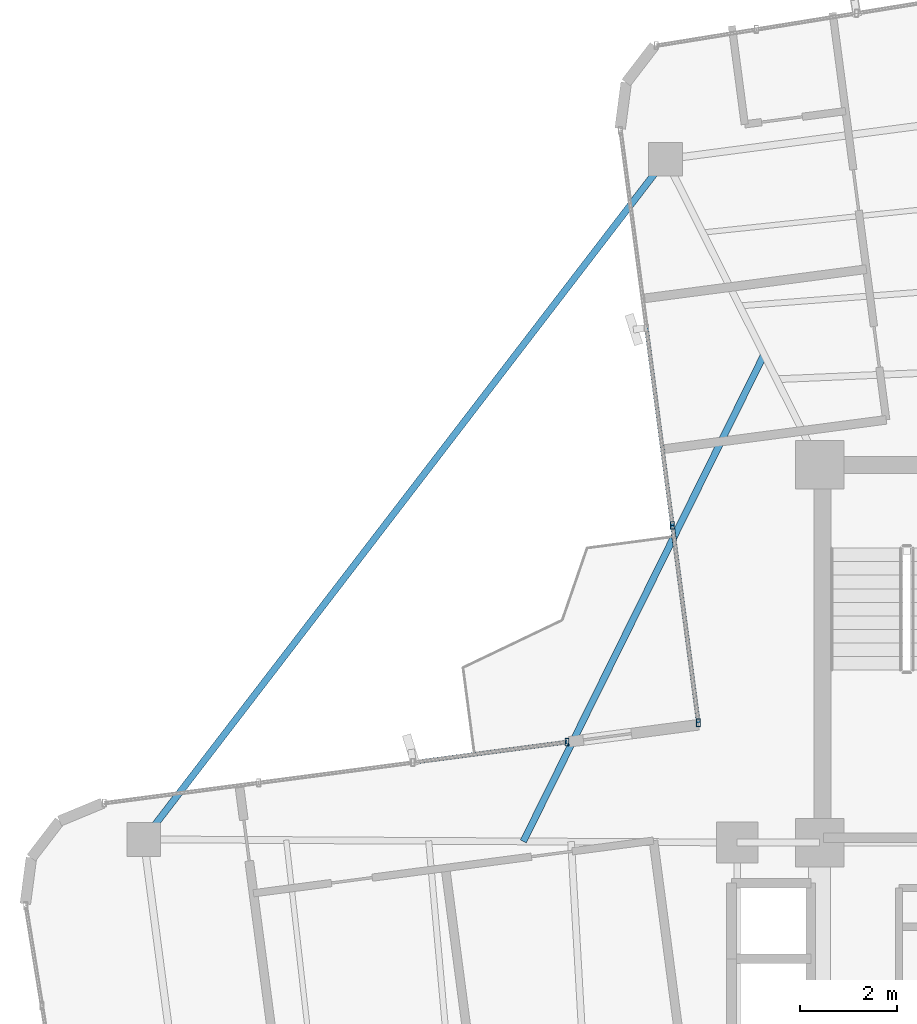
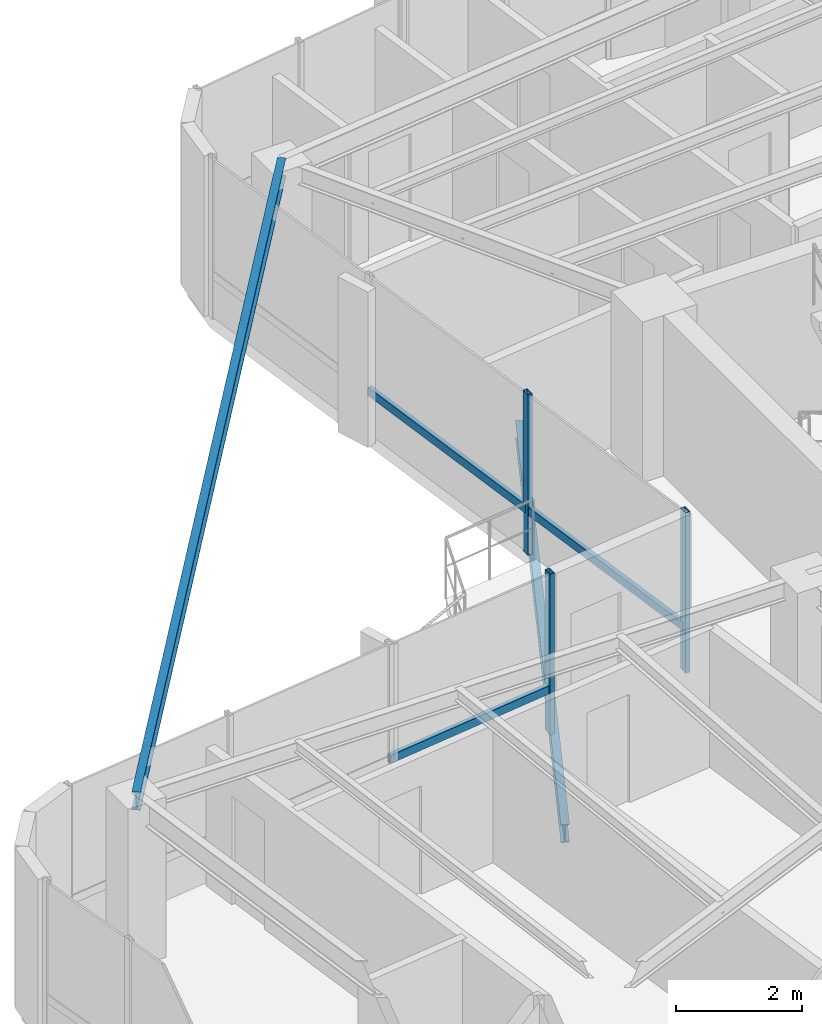
# One storey, part 9 of 22: 6 members, 2 beams, 2 elements without a shape of their own.
"""IFC4 building model written with IfcOpenShell, lengths in metres."""

from ifc_helpers import new_model, si_unit, direction, frame, origin, origin_2d, place, context, subcontext, project, spatial, hollow_rectangle, i_section, extrude, source, transform, mapped, material, material_profile, profile_set, type_object, element, aggregate, save


model = new_model("IFC4")

# Units and contexts
model_context = context("Model", 3, precision=1e-05, world=origin(), true_north=direction((0.0, 1.0)))
body_context = subcontext(model_context, "Body", "Model", "MODEL_VIEW")
ifc_project = project(units=[si_unit("LENGTHUNIT", "METRE"), si_unit("AREAUNIT", "SQUARE_METRE"), si_unit("VOLUMEUNIT", "CUBIC_METRE"), si_unit("PLANEANGLEUNIT", "RADIAN"), si_unit("MASSUNIT", "GRAM", prefix="KILO")], contexts=[model_context])

# Site, building, storey
site_placement = place(None, origin())
site = spatial("IfcSite", under=ifc_project, at=site_placement, CompositionType="ELEMENT")
building_placement = place(site_placement, origin())
building = spatial("IfcBuilding", under=site, at=building_placement, Name="Sahyath Konkavel Grand Hotel", CompositionType="ELEMENT")
storey_placement = place(building_placement, frame((0.0, 0.0, 247.85009765625)))
storey = spatial("IfcBuildingStorey", under=building, at=storey_placement, Name="L69", CompositionType="ELEMENT", Elevation=247.85009765625)

# Beam
ifc_material_1 = material(Name="Steel E350", Category="steel")
ifc_material_profile_1 = material_profile(ifc_material_1, i_section(OverallWidth=0.139892578125, OverallDepth=0.35009765625, WebThickness=0.008056640625, FlangeThickness=0.01416015625, FilletRadius=0.013916015625, at=origin_2d()), Name="ISMB 350")
ifc_profile_set_1 = profile_set([ifc_material_profile_1], Name="Steel E350")
beam_type_1 = type_object("IfcBeamType", Name="BM-ISMB350", PredefinedType="BEAM", material=ifc_profile_set_1)
shared_shape_1 = source(origin(), body_context, "Body", "SweptSolid", [
    extrude(i_section(OverallWidth=0.139892578125, OverallDepth=0.35009765625, WebThickness=0.008056640625, FlangeThickness=0.01416015625, FilletRadius=0.013916015625, at=origin_2d()), origin(), (0.0, 0.0, 1.0), 17.70166015625),
])
beam_1_placement = place(storey_placement, frame((-6.977783203125, 16.510498046875, 2.934814453125), z_axis=(-0.608761860187, -0.793353009437, 0.0), x_axis=(0.793353009437, -0.608761860187, 0.0)))
element("IfcBeam", 1, at=beam_1_placement, inside=storey, type_object=beam_type_1, Name="L69 Re-Entrant Tie Beam NW", PredefinedType="BEAM", context=body_context, shape_type="MappedRepresentation", body=[
    mapped(shared_shape_1, transform((0.0, 0.0, 0.0), scale=1.0)),
])

# Curtain wall, members
ifc_material_2 = material(Name="Anodised Bronze Aluminium & Low-E Glazing", Category="aluminium")
curtain_wall_type = type_object("IfcCurtainWallType", Name="CW-ZONE4", PredefinedType="NOTDEFINED", material=ifc_material_2)
curtain_wall_1_placement = place(storey_placement, origin())
curtain_wall_1 = element("IfcCurtainWall", 2, at=curtain_wall_1_placement, inside=storey, type_object=curtain_wall_type, Name="L69 Unitised Curtain Wall F15", PredefinedType="NOTDEFINED")
ifc_material_3 = material(Name="Anodised Bronze Aluminium", Category="aluminium")
ifc_material_profile_2 = material_profile(ifc_material_3, hollow_rectangle(XDim=0.080078125, YDim=0.159912109375, WallThickness=0.006103515625, at=origin_2d()), Name="RHS 160x80x6")
ifc_profile_set_2 = profile_set([ifc_material_profile_2], Name="Anodised Bronze Aluminium")
member_type_1 = type_object("IfcMemberType", Name="CW-MUL-160", PredefinedType="MULLION", material=ifc_profile_set_2)
shared_shape_2 = source(origin(), body_context, "Body", "SweptSolid", [
    extrude(hollow_rectangle(XDim=0.080078125, YDim=0.159912109375, WallThickness=0.006103515625, at=origin_2d()), origin(), (0.0, 0.0, 1.0), 3.10986328125),
])
member_1_placement = place(storey_placement, frame((-6.839599609375, 8.94921875, 0.0), z_axis=(0.0, 0.0, 1.0), x_axis=(1.0, 0.0, 0.0)))
member_1 = element("IfcMember", 3, at=member_1_placement, type_object=member_type_1, Name="L69 Curtain Wall Mullion F15-2", PredefinedType="MULLION", context=body_context, shape_type="MappedRepresentation", body=[
    mapped(shared_shape_2, transform((0.0, 0.0, 0.0), scale=1.0)),
])
member_2_placement = place(storey_placement, frame((-6.302734375, 4.8720703125, 0.0), z_axis=(0.0, 0.0, 1.0), x_axis=(1.0, 0.0, 0.0)))
member_2 = element("IfcMember", 4, at=member_2_placement, type_object=member_type_1, Name="L69 Curtain Wall Mullion F15-3", PredefinedType="MULLION", context=body_context, shape_type="MappedRepresentation", body=[
    mapped(shared_shape_2, transform((0.0, 0.0, 0.0), scale=1.0)),
])

curtain_wall_2_placement = place(storey_placement, origin())
curtain_wall_2 = element("IfcCurtainWall", 5, at=curtain_wall_2_placement, inside=storey, type_object=curtain_wall_type, Name="L69 Unitised Curtain Wall F16", PredefinedType="NOTDEFINED")
member_3_placement = place(storey_placement, frame((-9.01416015625, 4.474609375, 0.0), z_axis=(0.0, 0.0, 1.0), x_axis=(1.0, 0.0, 0.0)))
member_3 = element("IfcMember", 6, at=member_3_placement, type_object=member_type_1, Name="L69 Curtain Wall Mullion F16-0", PredefinedType="MULLION", context=body_context, shape_type="MappedRepresentation", body=[
    mapped(shared_shape_2, transform((0.0, 0.0, 0.0), scale=1.0)),
])
ifc_material_profile_3 = material_profile(ifc_material_3, hollow_rectangle(XDim=0.080078125, YDim=0.159912109375, WallThickness=0.006103515625, at=origin_2d()), Name="RHS 160x80x6")
ifc_profile_set_3 = profile_set([ifc_material_profile_3], Name="Anodised Bronze Aluminium")
member_type_2 = type_object("IfcMemberType", Name="CW-TRN-160", PredefinedType="USERDEFINED", material=ifc_profile_set_3)
shared_shape_3 = source(origin(), body_context, "Body", "SweptSolid", [
    extrude(hollow_rectangle(XDim=0.080078125, YDim=0.159912109375, WallThickness=0.006103515625, at=origin_2d()), origin(), (0.0, 0.0, 1.0), 3.21240234375),
])
member_4_placement = place(storey_placement, frame((-9.01416015625, 4.474609375, 0.849853515625), z_axis=(-0.991448862258, -0.130495798888, 0.0), x_axis=(0.130495798888, -0.991448862258, 0.0)))
member_4 = element("IfcMember", 7, at=member_4_placement, type_object=member_type_2, Name="L69 Curtain Wall Transom F16-0-spandrel", ObjectType="TRANSOM", PredefinedType="USERDEFINED", context=body_context, shape_type="MappedRepresentation", body=[
    mapped(shared_shape_3, transform((0.0, 0.0, 0.0), scale=1.0)),
])
aggregate(curtain_wall_2, [member_3, member_4])

# Member
shared_shape_4 = source(origin(), body_context, "Body", "SweptSolid", [
    extrude(hollow_rectangle(XDim=0.080078125, YDim=0.159912109375, WallThickness=0.006103515625, at=origin_2d()), origin(), (0.0, 0.0, 1.0), 4.1123046875),
])
member_5_placement = place(storey_placement, frame((-7.37646484375, 13.0263671875, 0.849853515625), z_axis=(0.130549726719, -0.991441762714, 0.0), x_axis=(0.991441762714, 0.130549726719, 0.0)))
member_5 = element("IfcMember", 8, at=member_5_placement, type_object=member_type_2, Name="L69 Curtain Wall Transom F15-1-spandrel", ObjectType="TRANSOM", PredefinedType="USERDEFINED", context=body_context, shape_type="MappedRepresentation", body=[
    mapped(shared_shape_4, transform((0.0, 0.0, 0.0), scale=1.0)),
])

member_6_placement = place(storey_placement, frame((-6.839599609375, 8.94921875, 0.849853515625), z_axis=(0.130549726719, -0.991441762714, 0.0), x_axis=(0.991441762714, 0.130549726719, 0.0)))
member_6 = element("IfcMember", 9, at=member_6_placement, type_object=member_type_2, Name="L69 Curtain Wall Transom F15-2-spandrel", ObjectType="TRANSOM", PredefinedType="USERDEFINED", context=body_context, shape_type="MappedRepresentation", body=[
    mapped(shared_shape_4, transform((0.0, 0.0, 0.0), scale=1.0)),
])

aggregate(curtain_wall_1, [member_1, member_2, member_5, member_6])

# Beam
ifc_material_profile_4 = material_profile(ifc_material_1, i_section(OverallWidth=0.139892578125, OverallDepth=0.35009765625, WebThickness=0.008056640625, FlangeThickness=0.01416015625, FilletRadius=0.013916015625, at=origin_2d()), Name="ISMB 350")
ifc_profile_set_4 = profile_set([ifc_material_profile_4], Name="Steel E350")
beam_type_2 = type_object("IfcBeamType", Name="BM-BALC-CANT", PredefinedType="BEAM", material=ifc_profile_set_4)
shared_shape_5 = source(origin(), body_context, "Body", "SweptSolid", [
    extrude(i_section(OverallWidth=0.139892578125, OverallDepth=0.35009765625, WebThickness=0.008056640625, FlangeThickness=0.01416015625, FilletRadius=0.013916015625, at=origin_2d()), origin(), (0.0, 0.0, 1.0), 11.213134765625),
])
beam_2_placement = place(storey_placement, frame((-4.946044921875, 12.476318359375, -0.4150390625), z_axis=(-0.443246593329, -0.896399719714, 0.0), x_axis=(0.896399719714, -0.443246593329, 0.0)))
element("IfcBeam", 10, at=beam_2_placement, inside=storey, type_object=beam_type_2, Name="L69 Balcony Cantilever Support Beam NW", PredefinedType="BEAM", context=body_context, shape_type="MappedRepresentation", body=[
    mapped(shared_shape_5, transform((0.0, 0.0, 0.0), scale=1.0)),
])

save(model, "model.ifc")
